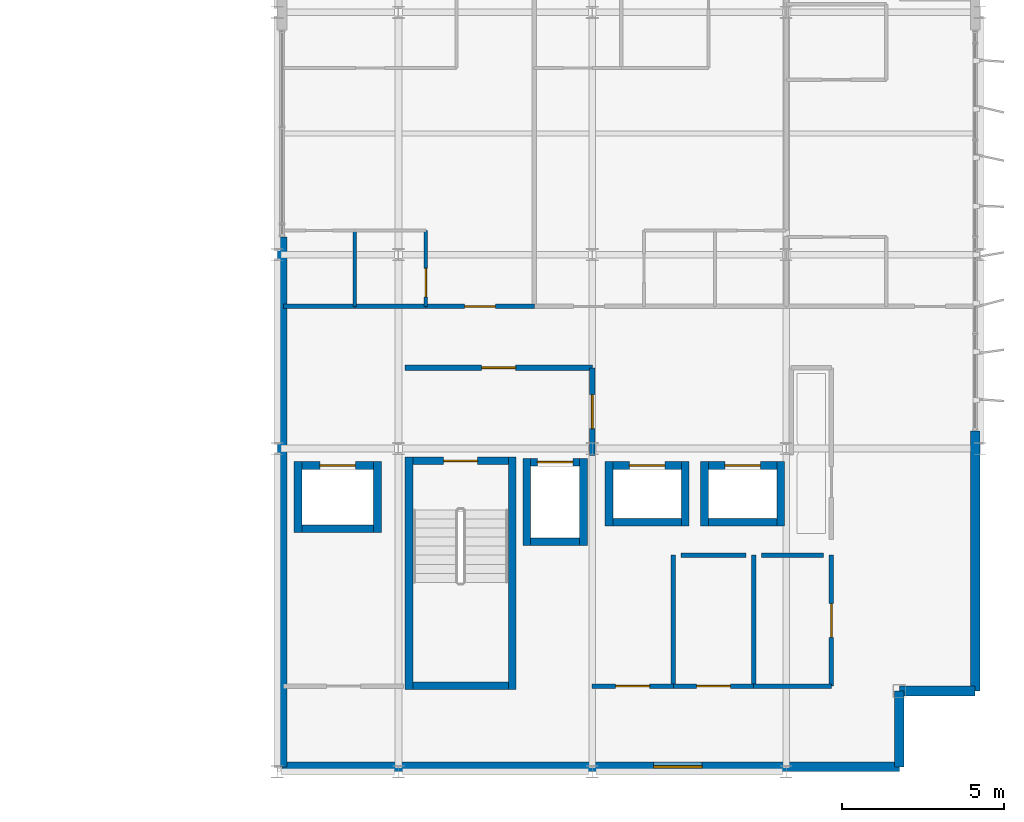
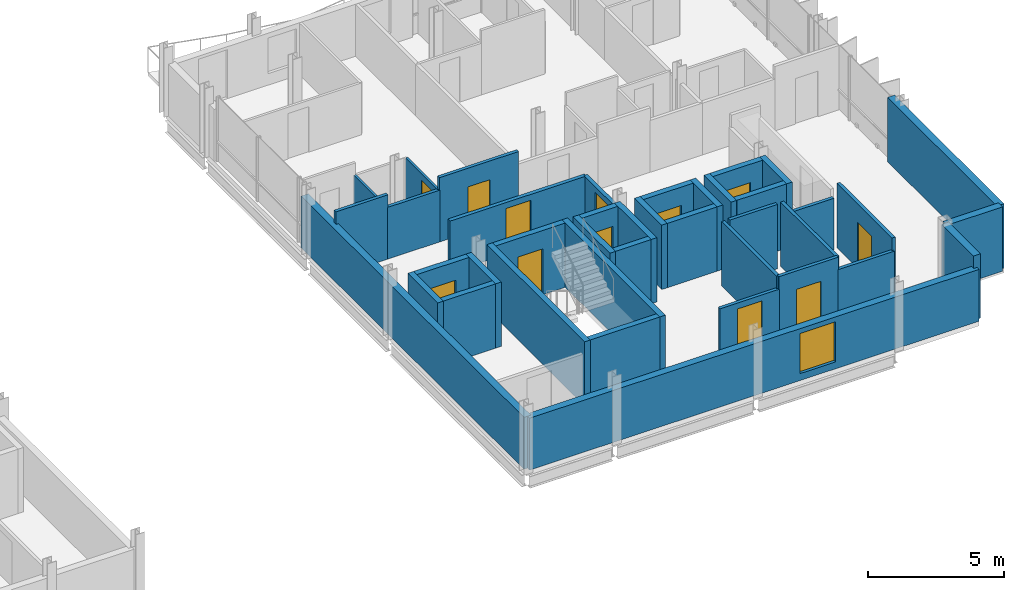
# One storey, part 24 of 30: 40 walls, 12 doors, 1 window, 13 openings.
"""IFC4 building model written with IfcOpenShell, lengths in metres."""

from ifc_helpers import new_model, si_unit, direction, frame, frame_2d, origin, place, context, subcontext, project, spatial, rectangle, extrude, material, layer, layer_set, type_object, element, fill, save


model = new_model("IFC4")

# Units and contexts
model_context = context("Model", 3, precision=1e-05, world=origin(), true_north=direction((0.0, 1.0)))
body_context = subcontext(model_context, "Body", "Model", "MODEL_VIEW")
ifc_project = project(units=[si_unit("LENGTHUNIT", "METRE"), si_unit("AREAUNIT", "SQUARE_METRE"), si_unit("VOLUMEUNIT", "CUBIC_METRE"), si_unit("PLANEANGLEUNIT", "RADIAN"), si_unit("MASSUNIT", "GRAM", prefix="KILO")], contexts=[model_context])

# Site, building, storey
site_placement = place(None, origin())
site = spatial("IfcSite", under=ifc_project, at=site_placement, CompositionType="ELEMENT")
building_placement = place(site_placement, origin())
building = spatial("IfcBuilding", under=site, at=building_placement, Name="Brevholm Reach", CompositionType="ELEMENT")
storey_placement = place(building_placement, frame((0.0, 0.0, 204.89990234375)))
storey = spatial("IfcBuildingStorey", under=building, at=storey_placement, Name="L62", CompositionType="ELEMENT", Elevation=204.89990234375)

# Walls
ifc_material_1 = material(Name="Concrete C45/55", Category="concrete")
ifc_layer_1 = layer(ifc_material_1, 0.239990234375)
ifc_layer_set_1 = layer_set([ifc_layer_1], Name="Concrete C45/55")
wall_type_1 = type_object("IfcWallType", Name="WAL-COR-240", PredefinedType="SHEAR", material=ifc_layer_set_1)
for number, where, z_axis, x_axis, name in (
    (1, (42.330078125, 2.5400390625, 0.0), (0.0, 0.0, 1.0), (0.0, 1.0, 0.0), "L62 Escape Stair ST-2 Core Wall W"),
    (2, (45.52001953125, 2.5400390625, 0.0), (0.0, 0.0, 1.0), (0.0, 1.0, 0.0), "L62 Escape Stair ST-2 Core Wall E"),
):
    element("IfcWall", number, at=place(storey_placement, frame(where, z_axis=z_axis, x_axis=x_axis)), inside=storey, type_object=wall_type_1, Name=name, PredefinedType="SHEAR", context=body_context, shape_type="SweptSolid", body=[
        extrude(rectangle(XDim=7.199951171875, YDim=0.239990234375, at=frame_2d((3.60009765625, 0.0))), origin(), (0.0, 0.0, 1.0), 2.89013671875),
    ])
wall_1_placement = place(storey_placement, frame((42.449951171875, 2.659912109375, 0.0), z_axis=(0.0, 0.0, 1.0), x_axis=(1.0, 0.0, 0.0)))
element("IfcWall", 3, at=wall_1_placement, inside=storey, type_object=wall_type_1, Name="L62 Escape Stair ST-2 Core Wall S", PredefinedType="SHEAR", context=body_context, shape_type="SweptSolid", body=[
    extrude(rectangle(XDim=2.949951171875, YDim=0.239990234375, at=frame_2d((1.47509765625, 0.0))), origin(), (0.0, 0.0, 1.0), 2.89013671875),
])

# Wall, opening, door
wall_2_placement = place(storey_placement, frame((45.39990234375, 9.6201171875, 0.0), z_axis=(0.0, 0.0, 1.0), x_axis=(-1.0, 0.0, 0.0)))
wall_2 = element("IfcWall", 4, at=wall_2_placement, inside=storey, type_object=wall_type_1, Name="L62 Escape Stair ST-2 Core Wall N", PredefinedType="SHEAR", context=body_context, shape_type="SweptSolid", body=[
    extrude(rectangle(XDim=2.949951171875, YDim=0.239990234375, at=frame_2d((1.47509765625, 0.0))), origin(), (0.0, 0.0, 1.0), 2.89013671875),
])
opening_1_placement = place(wall_2_placement, frame((0.949951171875, 0.0, 0.0)))
opening_1 = element("IfcOpeningElement", 5, at=opening_1_placement, cuts=wall_2, Name="Opening SD-ST-2", PredefinedType="OPENING", context=body_context, shape_type="SweptSolid", body=[
    extrude(rectangle(XDim=1.050048828125, YDim=2.06005859375, at=frame_2d((0.52490234375, 1.030029296875))), frame((0.0, 0.1298828125, 0.0), z_axis=(0.0, -1.0, 0.0), x_axis=(1.0, 0.0, 0.0)), (0.0, 0.0, 1.0), 0.260009765625),
])
ifc_material_2 = material(Name="Hardwood-Lipped Steel-Core Fire and Smoke Door", Category="steel")
door_type_1 = type_object("IfcDoorType", Name="DOR-INT-FD60S", OperationType="NOTDEFINED", PredefinedType="DOOR", material=ifc_material_2)
door_1_placement = place(opening_1_placement, origin())
door_1 = element("IfcDoor", 6, at=door_1_placement, inside=storey, type_object=door_type_1, Name="L62 Protected Stair ST-2 Lobby Door", OperationType="SINGLE_SWING_LEFT", OverallHeight=2.06005859375, OverallWidth=1.050048828125, PredefinedType="DOOR", context=body_context, shape_type="SweptSolid", body=[
    extrude(rectangle(XDim=1.050048828125, YDim=2.06005859375, at=frame_2d((0.52490234375, 1.030029296875))), frame((0.0, 0.02490234375, 0.0), z_axis=(0.0, -1.0, 0.0), x_axis=(1.0, 0.0, 0.0)), (0.0, 0.0, 1.0), 0.050048828125),
])
fill(opening_1, door_1)

# Walls
for number, where, z_axis, x_axis, name in (
    (7, (45.969970703125, 7.0, 0.0), (0.0, 0.0, 1.0), (0.0, 1.0, 0.0), "L62 Lift FFL-2 Shaft Wall W"),
    (8, (47.72998046875, 7.0, 0.0), (0.0, 0.0, 1.0), (0.0, 1.0, 0.0), "L62 Lift FFL-2 Shaft Wall E"),
):
    element("IfcWall", number, at=place(storey_placement, frame(where, z_axis=z_axis, x_axis=x_axis)), inside=storey, type_object=wall_type_1, Name=name, PredefinedType="SHEAR", context=body_context, shape_type="SweptSolid", body=[
        extrude(rectangle(XDim=2.699951171875, YDim=0.239990234375, at=frame_2d((1.35009765625, 0.0))), origin(), (0.0, 0.0, 1.0), 2.89013671875),
    ])
wall_3_placement = place(storey_placement, frame((46.090087890625, 7.1201171875, 0.0), z_axis=(0.0, 0.0, 1.0), x_axis=(1.0, 0.0, 0.0)))
element("IfcWall", 9, at=wall_3_placement, inside=storey, type_object=wall_type_1, Name="L62 Lift FFL-2 Shaft Wall S", PredefinedType="SHEAR", context=body_context, shape_type="SweptSolid", body=[
    extrude(rectangle(XDim=1.52001953125, YDim=0.239990234375, at=frame_2d((0.760009765625, 0.0))), origin(), (0.0, 0.0, 1.0), 2.89013671875),
])

# Wall, opening, door
wall_4_placement = place(storey_placement, frame((46.090087890625, 9.580078125, 0.0), z_axis=(0.0, 0.0, 1.0), x_axis=(1.0, 0.0, 0.0)))
wall_4 = element("IfcWall", 10, at=wall_4_placement, inside=storey, type_object=wall_type_1, Name="L62 Lift FFL-2 Shaft Wall N", PredefinedType="SHEAR", context=body_context, shape_type="SweptSolid", body=[
    extrude(rectangle(XDim=1.52001953125, YDim=0.239990234375, at=frame_2d((0.760009765625, 0.0))), origin(), (0.0, 0.0, 1.0), 2.89013671875),
])
opening_2_placement = place(wall_4_placement, frame((0.2099609375, 0.0, 0.0)))
opening_2 = element("IfcOpeningElement", 11, at=opening_2_placement, cuts=wall_4, Name="Opening LD-FFL-2", PredefinedType="OPENING", context=body_context, shape_type="SweptSolid", body=[
    extrude(rectangle(XDim=1.10009765625, YDim=2.06005859375, at=frame_2d((0.550048828125, 1.030029296875))), frame((0.0, 0.1298828125, 0.0), z_axis=(0.0, -1.0, 0.0), x_axis=(1.0, 0.0, 0.0)), (0.0, 0.0, 1.0), 0.260009765625),
])
ifc_material_3 = material(Name="Brushed Stainless Steel Fire-Rated Sliding Lift Door", Category="steel")
door_type_2 = type_object("IfcDoorType", Name="DOR-LFT-1100", OperationType="NOTDEFINED", PredefinedType="DOOR", material=ifc_material_3)
door_2_placement = place(opening_2_placement, origin())
door_2 = element("IfcDoor", 12, at=door_2_placement, inside=storey, type_object=door_type_2, Name="L62 Lift FFL-2 Sliding Landing Door", OperationType="SLIDING_TO_LEFT", OverallHeight=2.06005859375, OverallWidth=1.10009765625, PredefinedType="DOOR", context=body_context, shape_type="SweptSolid", body=[
    extrude(rectangle(XDim=1.10009765625, YDim=2.06005859375, at=frame_2d((0.550048828125, 1.030029296875))), frame((0.0, 0.02490234375, 0.0), z_axis=(0.0, -1.0, 0.0), x_axis=(1.0, 0.0, 0.0)), (0.0, 0.0, 1.0), 0.050048828125),
])
fill(opening_2, door_2)

# Walls
for number, where, z_axis, x_axis, name in (
    (13, (38.889892578125, 7.39990234375, 0.0), (0.0, 0.0, 1.0), (0.0, 1.0, 0.0), "L62 Lift PL-S1 Shaft Wall W"),
    (14, (41.35009765625, 7.39990234375, 0.0), (0.0, 0.0, 1.0), (0.0, 1.0, 0.0), "L62 Lift PL-S1 Shaft Wall E"),
):
    element("IfcWall", number, at=place(storey_placement, frame(where, z_axis=z_axis, x_axis=x_axis)), inside=storey, type_object=wall_type_1, Name=name, PredefinedType="SHEAR", context=body_context, shape_type="SweptSolid", body=[
        extrude(rectangle(XDim=2.2001953125, YDim=0.239990234375, at=frame_2d((1.10009765625, 0.0))), origin(), (0.0, 0.0, 1.0), 2.89013671875),
    ])
wall_5_placement = place(storey_placement, frame((39.010009765625, 7.52001953125, 0.0), z_axis=(0.0, 0.0, 1.0), x_axis=(1.0, 0.0, 0.0)))
element("IfcWall", 15, at=wall_5_placement, inside=storey, type_object=wall_type_1, Name="L62 Lift PL-S1 Shaft Wall S", PredefinedType="SHEAR", context=body_context, shape_type="SweptSolid", body=[
    extrude(rectangle(XDim=2.219970703125, YDim=0.239990234375, at=frame_2d((1.10986328125, 0.0))), origin(), (0.0, 0.0, 1.0), 2.89013671875),
])

# Wall, opening, door
wall_6_placement = place(storey_placement, frame((39.010009765625, 9.47998046875, 0.0), z_axis=(0.0, 0.0, 1.0), x_axis=(1.0, 0.0, 0.0)))
wall_6 = element("IfcWall", 16, at=wall_6_placement, inside=storey, type_object=wall_type_1, Name="L62 Lift PL-S1 Shaft Wall N", PredefinedType="SHEAR", context=body_context, shape_type="SweptSolid", body=[
    extrude(rectangle(XDim=2.219970703125, YDim=0.239990234375, at=frame_2d((1.10986328125, 0.0))), origin(), (0.0, 0.0, 1.0), 2.89013671875),
])
opening_3_placement = place(wall_6_placement, frame((0.56005859375, 0.0, 0.0)))
opening_3 = element("IfcOpeningElement", 17, at=opening_3_placement, cuts=wall_6, Name="Opening LD-PL-S1", PredefinedType="OPENING", context=body_context, shape_type="SweptSolid", body=[
    extrude(rectangle(XDim=1.10009765625, YDim=2.06005859375, at=frame_2d((0.550048828125, 1.030029296875))), frame((0.0, 0.1298828125, 0.0), z_axis=(0.0, -1.0, 0.0), x_axis=(1.0, 0.0, 0.0)), (0.0, 0.0, 1.0), 0.260009765625),
])
door_3_placement = place(opening_3_placement, origin())
door_3 = element("IfcDoor", 18, at=door_3_placement, inside=storey, type_object=door_type_2, Name="L62 Lift PL-S1 Sliding Landing Door", OperationType="SLIDING_TO_RIGHT", OverallHeight=2.06005859375, OverallWidth=1.10009765625, PredefinedType="DOOR", context=body_context, shape_type="SweptSolid", body=[
    extrude(rectangle(XDim=1.10009765625, YDim=2.06005859375, at=frame_2d((0.550048828125, 1.030029296875))), frame((0.0, 0.02490234375, 0.0), z_axis=(0.0, -1.0, 0.0), x_axis=(1.0, 0.0, 0.0)), (0.0, 0.0, 1.0), 0.050048828125),
])
fill(opening_3, door_3)

# Walls
for number, where, z_axis, x_axis, name in (
    (19, (48.52001953125, 7.60009765625, 0.0), (0.0, 0.0, 1.0), (0.0, 1.0, 0.0), "L62 Lift PL-H1 Shaft Wall W"),
    (20, (50.8798828125, 7.60009765625, 0.0), (0.0, 0.0, 1.0), (0.0, 1.0, 0.0), "L62 Lift PL-H1 Shaft Wall E"),
):
    element("IfcWall", number, at=place(storey_placement, frame(where, z_axis=z_axis, x_axis=x_axis)), inside=storey, type_object=wall_type_1, Name=name, PredefinedType="SHEAR", context=body_context, shape_type="SweptSolid", body=[
        extrude(rectangle(XDim=2.0, YDim=0.239990234375, at=frame_2d((1.0, 0.0))), origin(), (0.0, 0.0, 1.0), 2.89013671875),
    ])
wall_7_placement = place(storey_placement, frame((48.639892578125, 7.719970703125, 0.0), z_axis=(0.0, 0.0, 1.0), x_axis=(1.0, 0.0, 0.0)))
element("IfcWall", 21, at=wall_7_placement, inside=storey, type_object=wall_type_1, Name="L62 Lift PL-H1 Shaft Wall S", PredefinedType="SHEAR", context=body_context, shape_type="SweptSolid", body=[
    extrude(rectangle(XDim=2.1201171875, YDim=0.239990234375, at=frame_2d((1.06005859375, 0.0))), origin(), (0.0, 0.0, 1.0), 2.89013671875),
])

# Wall, opening, door
wall_8_placement = place(storey_placement, frame((48.639892578125, 9.47998046875, 0.0), z_axis=(0.0, 0.0, 1.0), x_axis=(1.0, 0.0, 0.0)))
wall_8 = element("IfcWall", 22, at=wall_8_placement, inside=storey, type_object=wall_type_1, Name="L62 Lift PL-H1 Shaft Wall N", PredefinedType="SHEAR", context=body_context, shape_type="SweptSolid", body=[
    extrude(rectangle(XDim=2.1201171875, YDim=0.239990234375, at=frame_2d((1.06005859375, 0.0))), origin(), (0.0, 0.0, 1.0), 2.89013671875),
])
opening_4_placement = place(wall_8_placement, frame((0.510009765625, 0.0, 0.0)))
opening_4 = element("IfcOpeningElement", 23, at=opening_4_placement, cuts=wall_8, Name="Opening LD-PL-H1", PredefinedType="OPENING", context=body_context, shape_type="SweptSolid", body=[
    extrude(rectangle(XDim=1.10009765625, YDim=2.06005859375, at=frame_2d((0.550048828125, 1.030029296875))), frame((0.0, 0.1298828125, 0.0), z_axis=(0.0, -1.0, 0.0), x_axis=(1.0, 0.0, 0.0)), (0.0, 0.0, 1.0), 0.260009765625),
])
door_4_placement = place(opening_4_placement, origin())
door_4 = element("IfcDoor", 24, at=door_4_placement, inside=storey, type_object=door_type_2, Name="L62 Lift PL-H1 Sliding Landing Door", OperationType="SLIDING_TO_LEFT", OverallHeight=2.06005859375, OverallWidth=1.10009765625, PredefinedType="DOOR", context=body_context, shape_type="SweptSolid", body=[
    extrude(rectangle(XDim=1.10009765625, YDim=2.06005859375, at=frame_2d((0.550048828125, 1.030029296875))), frame((0.0, 0.02490234375, 0.0), z_axis=(0.0, -1.0, 0.0), x_axis=(1.0, 0.0, 0.0)), (0.0, 0.0, 1.0), 0.050048828125),
])
fill(opening_4, door_4)

# Walls
for number, where, z_axis, x_axis, name in (
    (25, (51.469970703125, 7.60009765625, 0.0), (0.0, 0.0, 1.0), (0.0, 1.0, 0.0), "L62 Lift PL-H2 Shaft Wall W"),
    (26, (53.830078125, 7.60009765625, 0.0), (0.0, 0.0, 1.0), (0.0, 1.0, 0.0), "L62 Lift PL-H2 Shaft Wall E"),
):
    element("IfcWall", number, at=place(storey_placement, frame(where, z_axis=z_axis, x_axis=x_axis)), inside=storey, type_object=wall_type_1, Name=name, PredefinedType="SHEAR", context=body_context, shape_type="SweptSolid", body=[
        extrude(rectangle(XDim=2.0, YDim=0.239990234375, at=frame_2d((1.0, 0.0))), origin(), (0.0, 0.0, 1.0), 2.89013671875),
    ])
wall_9_placement = place(storey_placement, frame((51.590087890625, 7.719970703125, 0.0), z_axis=(0.0, 0.0, 1.0), x_axis=(1.0, 0.0, 0.0)))
element("IfcWall", 27, at=wall_9_placement, inside=storey, type_object=wall_type_1, Name="L62 Lift PL-H2 Shaft Wall S", PredefinedType="SHEAR", context=body_context, shape_type="SweptSolid", body=[
    extrude(rectangle(XDim=2.119873046875, YDim=0.239990234375, at=frame_2d((1.06005859375, 0.0))), origin(), (0.0, 0.0, 1.0), 2.89013671875),
])

# Wall, opening, door
wall_10_placement = place(storey_placement, frame((51.590087890625, 9.47998046875, 0.0), z_axis=(0.0, 0.0, 1.0), x_axis=(1.0, 0.0, 0.0)))
wall_10 = element("IfcWall", 28, at=wall_10_placement, inside=storey, type_object=wall_type_1, Name="L62 Lift PL-H2 Shaft Wall N", PredefinedType="SHEAR", context=body_context, shape_type="SweptSolid", body=[
    extrude(rectangle(XDim=2.119873046875, YDim=0.239990234375, at=frame_2d((1.06005859375, 0.0))), origin(), (0.0, 0.0, 1.0), 2.89013671875),
])
opening_5_placement = place(wall_10_placement, frame((0.510009765625, 0.0, 0.0)))
opening_5 = element("IfcOpeningElement", 29, at=opening_5_placement, cuts=wall_10, Name="Opening LD-PL-H2", PredefinedType="OPENING", context=body_context, shape_type="SweptSolid", body=[
    extrude(rectangle(XDim=1.10009765625, YDim=2.06005859375, at=frame_2d((0.550048828125, 1.030029296875))), frame((0.0, 0.1298828125, 0.0), z_axis=(0.0, -1.0, 0.0), x_axis=(1.0, 0.0, 0.0)), (0.0, 0.0, 1.0), 0.260009765625),
])
door_5_placement = place(opening_5_placement, origin())
door_5 = element("IfcDoor", 30, at=door_5_placement, inside=storey, type_object=door_type_2, Name="L62 Lift PL-H2 Sliding Landing Door", OperationType="SLIDING_TO_RIGHT", OverallHeight=2.06005859375, OverallWidth=1.10009765625, PredefinedType="DOOR", context=body_context, shape_type="SweptSolid", body=[
    extrude(rectangle(XDim=1.10009765625, YDim=2.06005859375, at=frame_2d((0.550048828125, 1.030029296875))), frame((0.0, 0.02490234375, 0.0), z_axis=(0.0, -1.0, 0.0), x_axis=(1.0, 0.0, 0.0)), (0.0, 0.0, 1.0), 0.050048828125),
])
fill(opening_5, door_5)

# Walls
ifc_material_4 = material(Name="Concrete C40/50", Category="concrete")
ifc_layer_2 = layer(ifc_material_4, 0.300048828125)
ifc_layer_set_2 = layer_set([ifc_layer_2], Name="Concrete C40/50")
wall_type_2 = type_object("IfcWallType", Name="WAL-EXT-300", PredefinedType="STANDARD", material=ifc_layer_set_2)
for number, where, z_axis, x_axis, name in (
    (31, (57.5, 0.14990234375, 0.0), (0.0, 0.0, 1.0), (0.0, 1.0, 0.0), "L62 Facade Wall WAL-L62-EW-CSE1"),
    (32, (57.5, 2.5, 0.0), (0.0, 0.0, 1.0), (1.0, 0.0, 0.0), "L62 Facade Wall WAL-L62-EW-CSE2"),
):
    element("IfcWall", number, at=place(storey_placement, frame(where, z_axis=z_axis, x_axis=x_axis)), inside=storey, type_object=wall_type_2, Name=name, PredefinedType="STANDARD", context=body_context, shape_type="SweptSolid", body=[
        extrude(rectangle(XDim=2.35009765625, YDim=0.300048828125, at=frame_2d((1.175048828125, 0.0))), origin(), (0.0, 0.0, 1.0), 2.89013671875),
    ])
wall_11_placement = place(storey_placement, frame((38.39990234375, 16.550048828125, 0.0), z_axis=(0.0, 0.0, 1.0), x_axis=(0.0, -1.0, 0.0)))
element("IfcWall", 33, at=wall_11_placement, inside=storey, type_object=wall_type_2, Name="L62 Facade Wall WAL-L62-VP-ES", PredefinedType="STANDARD", context=body_context, shape_type="SweptSolid", body=[
    extrude(rectangle(XDim=16.400146484375, YDim=0.300048828125, at=frame_2d((8.2001953125, 0.0))), origin(), (0.0, 0.0, 1.0), 2.33203125),
])

# Wall, opening, window
wall_12_placement = place(storey_placement, frame((38.39990234375, 0.14990234375, 0.0), z_axis=(0.0, 0.0, 1.0), x_axis=(1.0, 0.0, 0.0)))
wall_12 = element("IfcWall", 34, at=wall_12_placement, inside=storey, type_object=wall_type_2, Name="L62 Facade Wall WAL-L62-EW-S", PredefinedType="STANDARD", context=body_context, shape_type="SweptSolid", body=[
    extrude(rectangle(XDim=19.10009765625, YDim=0.300048828125, at=frame_2d((9.550048828125, 0.0))), origin(), (0.0, 0.0, 1.0), 2.33203125),
])
opening_6_placement = place(wall_12_placement, frame((11.5, 0.0, 0.31201171875)))
opening_6 = element("IfcOpeningElement", 35, at=opening_6_placement, cuts=wall_12, Name="Opening WN-05", PredefinedType="OPENING", context=body_context, shape_type="SweptSolid", body=[
    extrude(rectangle(XDim=1.5, YDim=1.800048828125, at=frame_2d((0.75, 0.89990234375))), frame((0.0, 0.159912109375, 0.0), z_axis=(0.0, -1.0, 0.0), x_axis=(1.0, 0.0, 0.0)), (0.0, 0.0, 1.0), 0.320068359375),
])
ifc_material_5 = material(Name="Dark Anodised Aluminium and Solar-Control IGU Glass", Category="aluminium")
window_type = type_object("IfcWindowType", Name="WIN-RES-1500", PartitioningType="SINGLE_PANEL", PredefinedType="WINDOW", material=ifc_material_5)
window_placement = place(opening_6_placement, origin())
window = element("IfcWindow", 36, at=window_placement, inside=storey, type_object=window_type, Name="L62 Window WIN-L62-EWS-1", OverallHeight=1.800048828125, OverallWidth=1.5, PartitioningType="SINGLE_PANEL", PredefinedType="WINDOW", context=body_context, shape_type="SweptSolid", body=[
    extrude(rectangle(XDim=1.5, YDim=1.800048828125, at=frame_2d((0.75, 0.89990234375))), frame((0.0, 0.030029296875, 0.0), z_axis=(0.0, -1.0, 0.0), x_axis=(1.0, 0.0, 0.0)), (0.0, 0.0, 1.0), 0.06005859375),
])
fill(opening_6, window)

# Walls
wall_13_placement = place(storey_placement, frame((59.85009765625, 2.5, 0.0), z_axis=(0.0, 0.0, 1.0), x_axis=(0.0, 1.0, 0.0)))
element("IfcWall", 37, at=wall_13_placement, inside=storey, type_object=wall_type_2, Name="L62 Facade Wall WAL-L62-EW-ES", PredefinedType="STANDARD", context=body_context, shape_type="SweptSolid", body=[
    extrude(rectangle(XDim=8.050048828125, YDim=0.300048828125, at=frame_2d((4.02490234375, 0.0))), origin(), (0.0, 0.0, 1.0), 2.89013671875),
])
ifc_material_6 = material(Name="Moisture-Resistant Acoustic Gypsum Stud Partition 100 mm", Category="gypsum")
ifc_layer_3 = layer(ifc_material_6, 0.10009765625)
ifc_layer_set_3 = layer_set([ifc_layer_3], Name="Moisture-Resistant Acoustic Gypsum Stud Partition 100 mm")
wall_type_3 = type_object("IfcWallType", Name="WAL-PRT-100", PredefinedType="PARTITIONING", material=ifc_layer_set_3)
wall_14_placement = place(storey_placement, frame((40.64990234375, 14.404052734375, 0.0), z_axis=(0.0, 0.0, 1.0), x_axis=(0.0, 1.0, 0.0)))
element("IfcWall", 38, at=wall_14_placement, inside=storey, type_object=wall_type_3, Name="L62 Internal Partition 070", PredefinedType="PARTITIONING", context=body_context, shape_type="SweptSolid", body=[
    extrude(rectangle(XDim=2.345947265625, YDim=0.10009765625, at=frame_2d((1.1728515625, 0.0))), origin(), (0.0, 0.0, 1.0), 2.32568359375),
])

# Wall, opening, door
wall_15_placement = place(storey_placement, frame((42.85009765625, 14.404052734375, 0.0), z_axis=(0.0, 0.0, 1.0), x_axis=(0.0, 1.0, 0.0)))
wall_15 = element("IfcWall", 39, at=wall_15_placement, inside=storey, type_object=wall_type_3, Name="L62 Internal Partition 072", PredefinedType="PARTITIONING", context=body_context, shape_type="SweptSolid", body=[
    extrude(rectangle(XDim=2.345947265625, YDim=0.10009765625, at=frame_2d((1.1728515625, 0.0))), origin(), (0.0, 0.0, 1.0), 2.32568359375),
])
opening_7_placement = place(wall_15_placement, frame((0.29296875, 0.0, 0.0)))
opening_7 = element("IfcOpeningElement", 40, at=opening_7_placement, cuts=wall_15, Name="Opening ID-01", PredefinedType="OPENING", context=body_context, shape_type="SweptSolid", body=[
    extrude(rectangle(XDim=0.8798828125, YDim=2.0400390625, at=frame_2d((0.43994140625, 1.02001953125))), frame((0.0, 0.06005859375, 0.0), z_axis=(0.0, -1.0, 0.0), x_axis=(1.0, 0.0, 0.0)), (0.0, 0.0, 1.0), 0.1201171875),
])
ifc_material_7 = material(Name="Lacquered Ash Solid-Core Acoustic Internal Door", Category="timber")
door_type_3 = type_object("IfcDoorType", Name="DOR-INT-880", OperationType="NOTDEFINED", PredefinedType="DOOR", material=ifc_material_7)
door_6_placement = place(opening_7_placement, origin())
door_6 = element("IfcDoor", 41, at=door_6_placement, inside=storey, type_object=door_type_3, Name="L62 Internal Door 033", OperationType="SINGLE_SWING_RIGHT", OverallHeight=2.0400390625, OverallWidth=0.8798828125, PredefinedType="DOOR", context=body_context, shape_type="SweptSolid", body=[
    extrude(rectangle(XDim=0.8798828125, YDim=2.0400390625, at=frame_2d((0.43994140625, 1.02001953125))), frame((0.0, 0.02490234375, 0.0), z_axis=(0.0, -1.0, 0.0), x_axis=(1.0, 0.0, 0.0)), (0.0, 0.0, 1.0), 0.050048828125),
])
fill(opening_7, door_6)

ifc_material_8 = material(Name="Twin-Stud Acoustic Fire-Rated Gypsum Partition 140 mm", Category="gypsum")
ifc_layer_4 = layer(ifc_material_8, 0.139892578125)
ifc_layer_set_4 = layer_set([ifc_layer_4], Name="Twin-Stud Acoustic Fire-Rated Gypsum Partition 140 mm")
wall_type_4 = type_object("IfcWallType", Name="WAL-PRT-140", PredefinedType="PARTITIONING", material=ifc_layer_set_4)
wall_16_placement = place(storey_placement, frame((55.39990234375, 2.64990234375, 0.0), z_axis=(0.0, 0.0, 1.0), x_axis=(0.0, 1.0, 0.0)))
wall_16 = element("IfcWall", 42, at=wall_16_placement, inside=storey, type_object=wall_type_4, Name="L62 Internal Partition 005", PredefinedType="PARTITIONING", context=body_context, shape_type="SweptSolid", body=[
    extrude(rectangle(XDim=4.061279296875, YDim=0.139892578125, at=frame_2d((2.03076171875, 0.0))), origin(), (0.0, 0.0, 1.0), 2.89013671875),
])
opening_8_placement = place(wall_16_placement, frame((1.505615234375, 0.0, 0.0)))
opening_8 = element("IfcOpeningElement", 43, at=opening_8_placement, cuts=wall_16, Name="Opening FD-01", PredefinedType="OPENING", context=body_context, shape_type="SweptSolid", body=[
    extrude(rectangle(XDim=1.050048828125, YDim=2.06005859375, at=frame_2d((0.52490234375, 1.030029296875))), frame((0.0, 0.079833984375, 0.0), z_axis=(0.0, -1.0, 0.0), x_axis=(1.0, 0.0, 0.0)), (0.0, 0.0, 1.0), 0.159912109375),
])
door_7_placement = place(opening_8_placement, origin())
door_7 = element("IfcDoor", 44, at=door_7_placement, inside=storey, type_object=door_type_1, Name="L62 Internal Door 003", OperationType="SINGLE_SWING_RIGHT", OverallHeight=2.06005859375, OverallWidth=1.050048828125, PredefinedType="DOOR", context=body_context, shape_type="SweptSolid", body=[
    extrude(rectangle(XDim=1.050048828125, YDim=2.06005859375, at=frame_2d((0.52490234375, 1.030029296875))), frame((0.0, 0.02490234375, 0.0), z_axis=(0.0, -1.0, 0.0), x_axis=(1.0, 0.0, 0.0)), (0.0, 0.0, 1.0), 0.050048828125),
])
fill(opening_8, door_7)

wall_17_placement = place(storey_placement, frame((47.98876953125, 2.64990234375, 0.0), z_axis=(0.0, 0.0, 1.0), x_axis=(1.0, 0.0, 0.0)))
wall_17 = element("IfcWall", 45, at=wall_17_placement, inside=storey, type_object=wall_type_4, Name="L62 Internal Partition 008", PredefinedType="PARTITIONING", context=body_context, shape_type="SweptSolid", body=[
    extrude(rectangle(XDim=2.5224609375, YDim=0.139892578125, at=frame_2d((1.26123046875, 0.0))), origin(), (0.0, 0.0, 1.0), 2.32568359375),
])
opening_9_placement = place(wall_17_placement, frame((0.736328125, 0.0, 0.0)))
opening_9 = element("IfcOpeningElement", 46, at=opening_9_placement, cuts=wall_17, Name="Opening FD-01", PredefinedType="OPENING", context=body_context, shape_type="SweptSolid", body=[
    extrude(rectangle(XDim=1.050048828125, YDim=2.06005859375, at=frame_2d((0.52490234375, 1.030029296875))), frame((0.0, 0.079833984375, 0.0), z_axis=(0.0, -1.0, 0.0), x_axis=(1.0, 0.0, 0.0)), (0.0, 0.0, 1.0), 0.159912109375),
])
door_8_placement = place(opening_9_placement, origin())
door_8 = element("IfcDoor", 47, at=door_8_placement, inside=storey, type_object=door_type_1, Name="L62 Internal Door 006", OperationType="SINGLE_SWING_LEFT", OverallHeight=2.06005859375, OverallWidth=1.050048828125, PredefinedType="DOOR", context=body_context, shape_type="SweptSolid", body=[
    extrude(rectangle(XDim=1.050048828125, YDim=2.06005859375, at=frame_2d((0.52490234375, 1.030029296875))), frame((0.0, 0.02490234375, 0.0), z_axis=(0.0, -1.0, 0.0), x_axis=(1.0, 0.0, 0.0)), (0.0, 0.0, 1.0), 0.050048828125),
])
fill(opening_9, door_8)

wall_18_placement = place(storey_placement, frame((50.49267578125, 2.64990234375, 0.0), z_axis=(0.0, 0.0, 1.0), x_axis=(1.0, 0.0, 0.0)))
wall_18 = element("IfcWall", 48, at=wall_18_placement, inside=storey, type_object=wall_type_4, Name="L62 Internal Partition 009", PredefinedType="PARTITIONING", context=body_context, shape_type="SweptSolid", body=[
    extrude(rectangle(XDim=2.5185546875, YDim=0.139892578125, at=frame_2d((1.25927734375, 0.0))), origin(), (0.0, 0.0, 1.0), 2.89013671875),
])
opening_10_placement = place(wall_18_placement, frame((0.734375, 0.0, 0.0)))
opening_10 = element("IfcOpeningElement", 49, at=opening_10_placement, cuts=wall_18, Name="Opening FD-01", PredefinedType="OPENING", context=body_context, shape_type="SweptSolid", body=[
    extrude(rectangle(XDim=1.050048828125, YDim=2.06005859375, at=frame_2d((0.52490234375, 1.030029296875))), frame((0.0, 0.079833984375, 0.0), z_axis=(0.0, -1.0, 0.0), x_axis=(1.0, 0.0, 0.0)), (0.0, 0.0, 1.0), 0.159912109375),
])
door_9_placement = place(opening_10_placement, origin())
door_9 = element("IfcDoor", 50, at=door_9_placement, inside=storey, type_object=door_type_1, Name="L62 Internal Door 007", OperationType="SINGLE_SWING_RIGHT", OverallHeight=2.06005859375, OverallWidth=1.050048828125, PredefinedType="DOOR", context=body_context, shape_type="SweptSolid", body=[
    extrude(rectangle(XDim=1.050048828125, YDim=2.06005859375, at=frame_2d((0.52490234375, 1.030029296875))), frame((0.0, 0.02490234375, 0.0), z_axis=(0.0, -1.0, 0.0), x_axis=(1.0, 0.0, 0.0)), (0.0, 0.0, 1.0), 0.050048828125),
])
fill(opening_10, door_9)

# Walls
wall_19_placement = place(storey_placement, frame((52.99267578125, 2.64990234375, 0.0), z_axis=(0.0, 0.0, 1.0), x_axis=(1.0, 0.0, 0.0)))
element("IfcWall", 51, at=wall_19_placement, inside=storey, type_object=wall_type_4, Name="L62 Internal Partition 010", PredefinedType="PARTITIONING", context=body_context, shape_type="SweptSolid", body=[
    extrude(rectangle(XDim=2.4033203125, YDim=0.139892578125, at=frame_2d((1.20166015625, 0.0))), origin(), (0.0, 0.0, 1.0), 2.32568359375),
])
for number, where, z_axis, x_axis, name in (
    (52, (50.5, 2.654052734375, 0.0), (0.0, 0.0, 1.0), (0.0, 1.0, 0.0), "L62 Internal Partition 011"),
    (53, (53.0, 2.654052734375, 0.0), (0.0, 0.0, 1.0), (0.0, 1.0, 0.0), "L62 Internal Partition 012"),
):
    element("IfcWall", number, at=place(storey_placement, frame(where, z_axis=z_axis, x_axis=x_axis)), inside=storey, type_object=wall_type_4, Name=name, PredefinedType="PARTITIONING", context=body_context, shape_type="SweptSolid", body=[
        extrude(rectangle(XDim=4.0458984375, YDim=0.139892578125, at=frame_2d((2.02294921875, 0.0))), origin(), (0.0, 0.0, 1.0), 2.89013671875),
    ])
wall_20_placement = place(storey_placement, frame((38.449951171875, 14.39990234375, 0.0), z_axis=(0.0, 0.0, 1.0), x_axis=(1.0, 0.0, 0.0)))
element("IfcWall", 54, at=wall_20_placement, inside=storey, type_object=wall_type_4, Name="L62 Internal Partition 031", PredefinedType="PARTITIONING", context=body_context, shape_type="SweptSolid", body=[
    extrude(rectangle(XDim=2.21142578125, YDim=0.139892578125, at=frame_2d((1.105712890625, 0.0))), origin(), (0.0, 0.0, 1.0), 2.89013671875),
])
wall_21_placement = place(storey_placement, frame((40.642578125, 14.39990234375, 0.0), z_axis=(0.0, 0.0, 1.0), x_axis=(1.0, 0.0, 0.0)))
element("IfcWall", 55, at=wall_21_placement, inside=storey, type_object=wall_type_4, Name="L62 Internal Partition 032", PredefinedType="PARTITIONING", context=body_context, shape_type="SweptSolid", body=[
    extrude(rectangle(XDim=2.21875, YDim=0.139892578125, at=frame_2d((1.109375, 0.0))), origin(), (0.0, 0.0, 1.0), 2.32568359375),
])

# Wall, opening, door
wall_22_placement = place(storey_placement, frame((42.8427734375, 14.39990234375, 0.0), z_axis=(0.0, 0.0, 1.0), x_axis=(1.0, 0.0, 0.0)))
wall_22 = element("IfcWall", 56, at=wall_22_placement, inside=storey, type_object=wall_type_4, Name="L62 Internal Partition 033", PredefinedType="PARTITIONING", context=body_context, shape_type="SweptSolid", body=[
    extrude(rectangle(XDim=3.368408203125, YDim=0.139892578125, at=frame_2d((1.68408203125, 0.0))), origin(), (0.0, 0.0, 1.0), 2.89013671875),
])
opening_11_placement = place(wall_22_placement, frame((1.209228515625, 0.0, 0.0)))
opening_11 = element("IfcOpeningElement", 57, at=opening_11_placement, cuts=wall_22, Name="Opening ID-30", PredefinedType="OPENING", context=body_context, shape_type="SweptSolid", body=[
    extrude(rectangle(XDim=0.949951171875, YDim=2.050048828125, at=frame_2d((0.47509765625, 1.02490234375))), frame((0.0, 0.079833984375, 0.0), z_axis=(0.0, -1.0, 0.0), x_axis=(1.0, 0.0, 0.0)), (0.0, 0.0, 1.0), 0.159912109375),
])
ifc_material_9 = material(Name="European Oak Veneered Solid-Core Fire Entrance Door", Category="timber")
door_type_4 = type_object("IfcDoorType", Name="DOR-FLT-FD30S", OperationType="NOTDEFINED", PredefinedType="DOOR", material=ifc_material_9)
door_10_placement = place(opening_11_placement, origin())
door_10 = element("IfcDoor", 58, at=door_10_placement, inside=storey, type_object=door_type_4, Name="L62 Internal Door 016", OperationType="SINGLE_SWING_LEFT", OverallHeight=2.050048828125, OverallWidth=0.949951171875, PredefinedType="DOOR", context=body_context, shape_type="SweptSolid", body=[
    extrude(rectangle(XDim=0.949951171875, YDim=2.050048828125, at=frame_2d((0.47509765625, 1.02490234375))), frame((0.0, 0.02490234375, 0.0), z_axis=(0.0, -1.0, 0.0), x_axis=(1.0, 0.0, 0.0)), (0.0, 0.0, 1.0), 0.050048828125),
])
fill(opening_11, door_10)

# Walls
wall_23_placement = place(storey_placement, frame((50.739990234375, 6.699951171875, 0.0), z_axis=(0.0, 0.0, 1.0), x_axis=(1.0, 0.0, 0.0)))
element("IfcWall", 59, at=wall_23_placement, inside=storey, type_object=wall_type_4, Name="L62 Internal Partition 095", PredefinedType="PARTITIONING", context=body_context, shape_type="SweptSolid", body=[
    extrude(rectangle(XDim=2.02001953125, YDim=0.139892578125, at=frame_2d((1.010009765625, 0.0))), origin(), (0.0, 0.0, 1.0), 2.89013671875),
])
wall_24_placement = place(storey_placement, frame((53.239990234375, 6.699951171875, 0.0), z_axis=(0.0, 0.0, 1.0), x_axis=(1.0, 0.0, 0.0)))
element("IfcWall", 60, at=wall_24_placement, inside=storey, type_object=wall_type_4, Name="L62 Internal Partition 096", PredefinedType="PARTITIONING", context=body_context, shape_type="SweptSolid", body=[
    extrude(rectangle(XDim=1.919921875, YDim=0.139892578125, at=frame_2d((0.9599609375, 0.0))), origin(), (0.0, 0.0, 1.0), 2.32568359375),
])

# Wall, opening, door
ifc_material_10 = material(Name="Twin-Frame Fire-Rated Gypsum Board and Mineral Wool 160 mm", Category="gypsum")
ifc_layer_5 = layer(ifc_material_10, 0.159912109375)
ifc_layer_set_5 = layer_set([ifc_layer_5], Name="Twin-Frame Fire-Rated Gypsum Board and Mineral Wool 160 mm")
wall_type_5 = type_object("IfcWallType", Name="WAL-PRT-160", PredefinedType="PARTITIONING", material=ifc_layer_set_5)
wall_25_placement = place(storey_placement, frame((48.0, 9.788818359375, 0.0), z_axis=(0.0, 0.0, 1.0), x_axis=(0.0, 1.0, 0.0)))
wall_25 = element("IfcWall", 61, at=wall_25_placement, inside=storey, type_object=wall_type_5, Name="L62 Internal Partition 027", PredefinedType="PARTITIONING", context=body_context, shape_type="SweptSolid", body=[
    extrude(rectangle(XDim=2.711181640625, YDim=0.159912109375, at=frame_2d((1.35546875, 0.0))), origin(), (0.0, 0.0, 1.0), 2.32568359375),
])
opening_12_placement = place(wall_25_placement, frame((0.83056640625, 0.0, 0.0)))
opening_12 = element("IfcOpeningElement", 62, at=opening_12_placement, cuts=wall_25, Name="Opening FD-01", PredefinedType="OPENING", context=body_context, shape_type="SweptSolid", body=[
    extrude(rectangle(XDim=1.050048828125, YDim=2.06005859375, at=frame_2d((0.52490234375, 1.030029296875))), frame((0.0, 0.08984375, 0.0), z_axis=(0.0, -1.0, 0.0), x_axis=(1.0, 0.0, 0.0)), (0.0, 0.0, 1.0), 0.179931640625),
])
door_11_placement = place(opening_12_placement, origin())
door_11 = element("IfcDoor", 63, at=door_11_placement, inside=storey, type_object=door_type_1, Name="L62 Internal Door 014", OperationType="SINGLE_SWING_LEFT", OverallHeight=2.06005859375, OverallWidth=1.050048828125, PredefinedType="DOOR", context=body_context, shape_type="SweptSolid", body=[
    extrude(rectangle(XDim=1.050048828125, YDim=2.06005859375, at=frame_2d((0.52490234375, 1.030029296875))), frame((0.0, 0.02490234375, 0.0), z_axis=(0.0, -1.0, 0.0), x_axis=(1.0, 0.0, 0.0)), (0.0, 0.0, 1.0), 0.050048828125),
])
fill(opening_12, door_11)

wall_26_placement = place(storey_placement, frame((42.199951171875, 12.5, 0.0), z_axis=(0.0, 0.0, 1.0), x_axis=(1.0, 0.0, 0.0)))
wall_26 = element("IfcWall", 64, at=wall_26_placement, inside=storey, type_object=wall_type_5, Name="L62 Internal Partition 028", PredefinedType="PARTITIONING", context=body_context, shape_type="SweptSolid", body=[
    extrude(rectangle(XDim=5.800048828125, YDim=0.159912109375, at=frame_2d((2.89990234375, 0.0))), origin(), (0.0, 0.0, 1.0), 2.32568359375),
])
opening_13_placement = place(wall_26_placement, frame((2.375, 0.0, 0.0)))
opening_13 = element("IfcOpeningElement", 65, at=opening_13_placement, cuts=wall_26, Name="Opening FD-01", PredefinedType="OPENING", context=body_context, shape_type="SweptSolid", body=[
    extrude(rectangle(XDim=1.050048828125, YDim=2.06005859375, at=frame_2d((0.52490234375, 1.030029296875))), frame((0.0, 0.08984375, 0.0), z_axis=(0.0, -1.0, 0.0), x_axis=(1.0, 0.0, 0.0)), (0.0, 0.0, 1.0), 0.179931640625),
])
door_12_placement = place(opening_13_placement, origin())
door_12 = element("IfcDoor", 66, at=door_12_placement, inside=storey, type_object=door_type_1, Name="L62 Internal Door 015", OperationType="SINGLE_SWING_RIGHT", OverallHeight=2.06005859375, OverallWidth=1.050048828125, PredefinedType="DOOR", context=body_context, shape_type="SweptSolid", body=[
    extrude(rectangle(XDim=1.050048828125, YDim=2.06005859375, at=frame_2d((0.52490234375, 1.030029296875))), frame((0.0, 0.02490234375, 0.0), z_axis=(0.0, -1.0, 0.0), x_axis=(1.0, 0.0, 0.0)), (0.0, 0.0, 1.0), 0.050048828125),
])
fill(opening_13, door_12)

save(model, "model.ifc")
